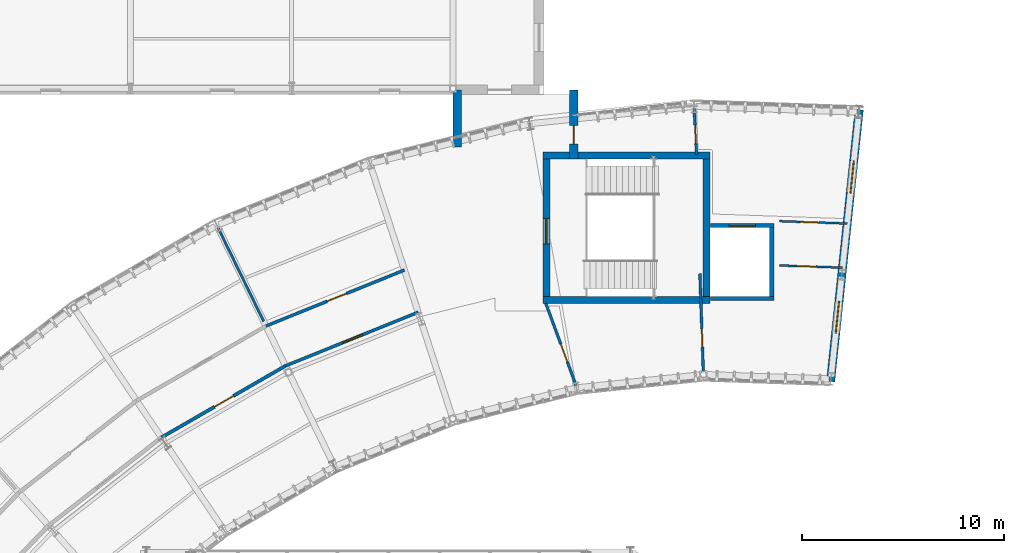
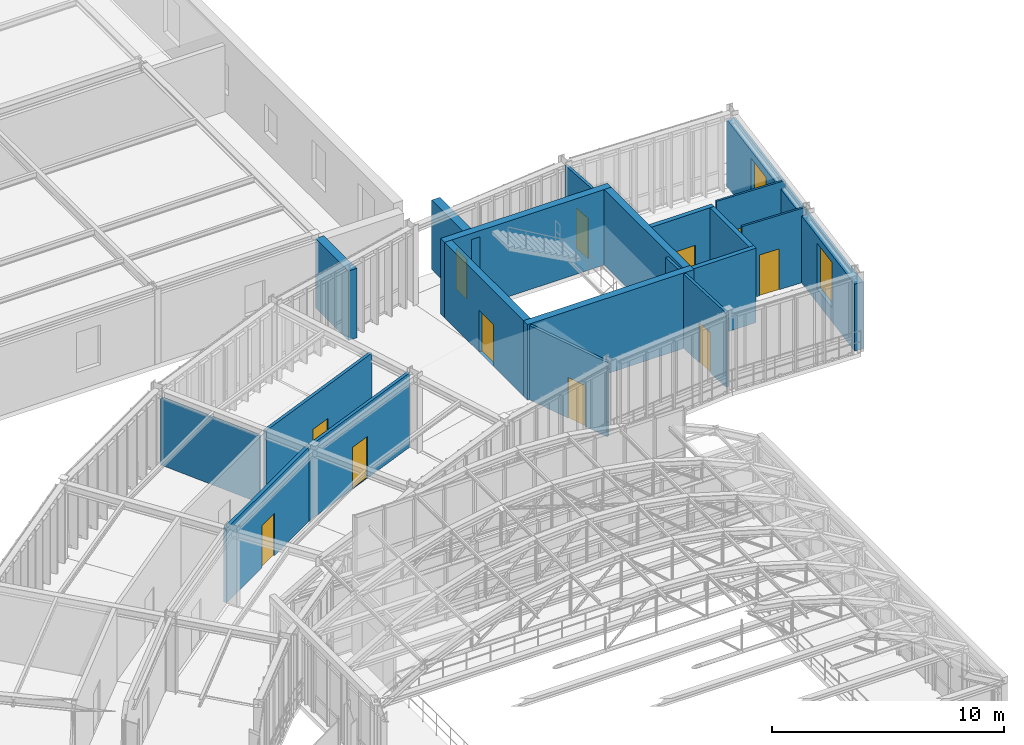
# One storey, part 131 of 148: 19 walls, 11 doors, 2 windows, 13 openings.
"""IFC4 building model written with IfcOpenShell, lengths in metres."""

from ifc_helpers import new_model, si_unit, direction, frame, frame_2d, origin, place, context, subcontext, project, spatial, rectangle, extrude, material, layer, layer_set, type_object, element, fill, save


model = new_model("IFC4")

# Units and contexts
model_context = context("Model", 3, precision=1e-05, world=origin(), true_north=direction((0.0, 1.0)))
body_context = subcontext(model_context, "Body", "Model", "MODEL_VIEW")
ifc_project = project(units=[si_unit("LENGTHUNIT", "METRE"), si_unit("AREAUNIT", "SQUARE_METRE"), si_unit("VOLUMEUNIT", "CUBIC_METRE"), si_unit("PLANEANGLEUNIT", "RADIAN"), si_unit("MASSUNIT", "GRAM", prefix="KILO"), si_unit("THERMODYNAMICTEMPERATUREUNIT", "KELVIN"), si_unit("POWERUNIT", "WATT")], contexts=[model_context])

# Site, building, storey
site_placement = place(None, origin())
site = spatial("IfcSite", under=ifc_project, at=site_placement, CompositionType="ELEMENT")
building_placement = place(site_placement, origin())
building = spatial("IfcBuilding", under=site, at=building_placement, Name="Solvatero Civic Police Headquarters", CompositionType="ELEMENT")
storey_placement = place(building_placement, frame((0.0, 0.0, 5.10009765625)))
storey = spatial("IfcBuildingStorey", under=building, at=storey_placement, Name="L01", CompositionType="ELEMENT", Elevation=5.10009765625)

# Wall
ifc_material_1 = material(Name="Cream Limestone Ashlar", Category="masonry")
ifc_layer_1 = layer(ifc_material_1, 0.419921875)
ifc_layer_set_1 = layer_set([ifc_layer_1], Name="Cream Limestone Ashlar")
wall_type_1 = type_object("IfcWallType", Name="WL-EXT-LIME-420", PredefinedType="SOLIDWALL", material=ifc_layer_set_1)
wall_1_placement = place(storey_placement, frame((80.2099609375, 82.60009765625, 0.0), z_axis=(0.0, 0.0, 1.0), x_axis=(0.0, 1.0, 0.0)))
element("IfcWall", 1, at=wall_1_placement, inside=storey, type_object=wall_type_1, Name="Exterior Wall WLE-L01-C3LK-W", PredefinedType="SOLIDWALL", context=body_context, shape_type="SweptSolid", body=[
    extrude(rectangle(XDim=2.83984375, YDim=0.419921875, at=frame_2d((1.419921875, 0.0))), origin(), (0.0, 0.0, 1.0), 3.657958984375),
])

# Wall, opening, door
wall_2_placement = place(storey_placement, frame((85.989990234375, 82.0, 0.0), z_axis=(0.0, 0.0, 1.0), x_axis=(0.0, 1.0, 0.0)))
wall_2 = element("IfcWall", 2, at=wall_2_placement, inside=storey, type_object=wall_type_1, Name="Exterior Wall WLE-L01-C3LK-E", PredefinedType="SOLIDWALL", context=body_context, shape_type="SweptSolid", body=[
    extrude(rectangle(XDim=3.43994140625, YDim=0.419921875, at=frame_2d((1.719970703125, 0.0))), origin(), (0.0, 0.0, 1.0), 3.657958984375),
])
opening_1_placement = place(wall_2_placement, frame((0.75, 0.0, 0.0)))
opening_1 = element("IfcOpeningElement", 3, at=opening_1_placement, cuts=wall_2, Name="Opening ID-03", PredefinedType="OPENING", context=body_context, shape_type="SweptSolid", body=[
    extrude(rectangle(XDim=0.919921875, YDim=2.1201171875, at=frame_2d((0.4599609375, 1.06005859375))), frame((0.0, 0.219970703125, 0.0), z_axis=(0.0, -1.0, 0.0), x_axis=(1.0, 0.0, 0.0)), (0.0, 0.0, 1.0), 0.43994140625),
])
ifc_material_2 = material(Name="Acoustic Oak Timber Veneer", Category="wood")
door_type_1 = type_object("IfcDoorType", Name="DR-OFF-092x212", OperationType="NOTDEFINED", PredefinedType="DOOR", material=ifc_material_2)
door_1_placement = place(opening_1_placement, origin())
door_1 = element("IfcDoor", 4, at=door_1_placement, inside=storey, type_object=door_type_1, Name="Interior Door DR-L01-C3LK-E", OperationType="SINGLE_SWING_RIGHT", OverallHeight=2.1201171875, OverallWidth=0.919921875, PredefinedType="DOOR", context=body_context, shape_type="SweptSolid", body=[
    extrude(rectangle(XDim=0.919921875, YDim=2.1201171875, at=frame_2d((0.4599609375, 1.06005859375))), frame((0.0, 0.02490234375, 0.0), z_axis=(0.0, -1.0, 0.0), x_axis=(1.0, 0.0, 0.0)), (0.0, 0.0, 1.0), 0.050048828125),
])
fill(opening_1, door_1)

# Wall, openings, windows
wall_3_placement = place(storey_placement, frame((98.726806640625, 70.972412109375, 0.0), z_axis=(0.0, 0.0, 1.0), x_axis=(0.104534827036, 0.994521226489, 0.0)))
wall_3 = element("IfcWall", 5, at=wall_3_placement, inside=storey, type_object=wall_type_1, Name="Exterior Wall WLE-L01-ARC-END-E", PredefinedType="SOLIDWALL", context=body_context, shape_type="SweptSolid", body=[
    extrude(rectangle(XDim=13.559814453125, YDim=0.419921875, at=frame_2d((6.77978515625, 0.0))), origin(), (0.0, 0.0, 1.0), 3.52978515625),
])
opening_2_placement = place(wall_3_placement, frame((2.39990234375, 0.0, 0.739990234375)))
opening_2 = element("IfcOpeningElement", 6, at=opening_2_placement, cuts=wall_3, Name="Opening W-04", PredefinedType="OPENING", context=body_context, shape_type="SweptSolid", body=[
    extrude(rectangle(XDim=1.60009765625, YDim=2.39990234375, at=frame_2d((0.800048828125, 1.199951171875))), frame((0.0, 0.219970703125, 0.0), z_axis=(0.0, -1.0, 0.0), x_axis=(1.0, 0.0, 0.0)), (0.0, 0.0, 1.0), 0.43994140625),
])
opening_3_placement = place(wall_3_placement, frame((9.39990234375, 0.0, 0.739990234375)))
opening_3 = element("IfcOpeningElement", 7, at=opening_3_placement, cuts=wall_3, Name="Opening W-04", PredefinedType="OPENING", context=body_context, shape_type="SweptSolid", body=[
    extrude(rectangle(XDim=1.60009765625, YDim=2.39990234375, at=frame_2d((0.800048828125, 1.199951171875))), frame((0.0, 0.219970703125, 0.0), z_axis=(0.0, -1.0, 0.0), x_axis=(1.0, 0.0, 0.0)), (0.0, 0.0, 1.0), 0.43994140625),
])
ifc_material_3 = material(Name="Anodized Bronze Aluminium", Category="aluminium")
window_type = type_object("IfcWindowType", Name="WN-CL-160x240", PartitioningType="SINGLE_PANEL", PredefinedType="WINDOW", material=ifc_material_3)
window_1_placement = place(opening_2_placement, origin())
window_1 = element("IfcWindow", 8, at=window_1_placement, inside=storey, type_object=window_type, Name="Exterior Window 0283", OverallHeight=2.39990234375, OverallWidth=1.60009765625, PartitioningType="SINGLE_PANEL", PredefinedType="WINDOW", context=body_context, shape_type="SweptSolid", body=[
    extrude(rectangle(XDim=1.60009765625, YDim=2.39990234375, at=frame_2d((0.800048828125, 1.199951171875))), frame((0.0, 0.030029296875, 0.0), z_axis=(0.0, -1.0, 0.0), x_axis=(1.0, 0.0, 0.0)), (0.0, 0.0, 1.0), 0.06005859375),
])
fill(opening_2, window_1)
window_2_placement = place(opening_3_placement, origin())
window_2 = element("IfcWindow", 9, at=window_2_placement, inside=storey, type_object=window_type, Name="Exterior Window 0284", OverallHeight=2.39990234375, OverallWidth=1.60009765625, PartitioningType="SINGLE_PANEL", PredefinedType="WINDOW", context=body_context, shape_type="SweptSolid", body=[
    extrude(rectangle(XDim=1.60009765625, YDim=2.39990234375, at=frame_2d((0.800048828125, 1.199951171875))), frame((0.0, 0.030029296875, 0.0), z_axis=(0.0, -1.0, 0.0), x_axis=(1.0, 0.0, 0.0)), (0.0, 0.0, 1.0), 0.06005859375),
])
fill(opening_3, window_2)

# Wall, opening, door
ifc_material_4 = material(Name="Gypsum Acoustic Stud", Category="gypsum")
ifc_layer_2 = layer(ifc_material_4, 0.10009765625)
ifc_layer_set_2 = layer_set([ifc_layer_2], Name="Gypsum Acoustic Stud")
wall_type_2 = type_object("IfcWallType", Name="WL-PTN-100", PredefinedType="PARTITIONING", material=ifc_layer_set_2)
wall_4_placement = place(storey_placement, frame((99.320556640625, 76.62109375, 0.0), z_axis=(0.0, 0.0, 1.0), x_axis=(-0.999389073029, 0.034949688284, 0.0)))
wall_4 = element("IfcWall", 10, at=wall_4_placement, inside=storey, type_object=wall_type_2, Name="Interior Partition WLP-L01-ARC-CIN-B01", PredefinedType="PARTITIONING", context=body_context, shape_type="SweptSolid", body=[
    extrude(rectangle(XDim=3.12255859375, YDim=0.10009765625, at=frame_2d((1.561279296875, 0.0))), origin(), (0.0, 0.0, 1.0), 3.919921875),
])
opening_4_placement = place(wall_4_placement, frame((1.31103515625, 0.0, 0.0)))
opening_4 = element("IfcOpeningElement", 11, at=opening_4_placement, cuts=wall_4, Name="Opening ID-04", PredefinedType="OPENING", context=body_context, shape_type="SweptSolid", body=[
    extrude(rectangle(XDim=0.949951171875, YDim=2.14990234375, at=frame_2d((0.47509765625, 1.074951171875))), frame((0.0, 0.06005859375, 0.0), z_axis=(0.0, -1.0, 0.0), x_axis=(1.0, 0.0, 0.0)), (0.0, 0.0, 1.0), 0.1201171875),
])
door_type_2 = type_object("IfcDoorType", Name="DR-ACC-095x215", OperationType="NOTDEFINED", PredefinedType="DOOR", material=ifc_material_2)
door_2_placement = place(opening_4_placement, origin())
door_2 = element("IfcDoor", 12, at=door_2_placement, inside=storey, type_object=door_type_2, Name="Interior Door DR-L01-ARC-IN-B01", OperationType="SINGLE_SWING_RIGHT", OverallHeight=2.14990234375, OverallWidth=0.949951171875, PredefinedType="DOOR", context=body_context, shape_type="SweptSolid", body=[
    extrude(rectangle(XDim=0.949951171875, YDim=2.14990234375, at=frame_2d((0.47509765625, 1.074951171875))), frame((0.0, 0.02490234375, 0.0), z_axis=(0.0, -1.0, 0.0), x_axis=(1.0, 0.0, 0.0)), (0.0, 0.0, 1.0), 0.050048828125),
])
fill(opening_4, door_2)

wall_5_placement = place(storey_placement, frame((99.550537109375, 78.80908203125, 0.0), z_axis=(0.0, 0.0, 1.0), x_axis=(-0.999391468521, 0.034881121642, 0.0)))
wall_5 = element("IfcWall", 13, at=wall_5_placement, inside=storey, type_object=wall_type_2, Name="Interior Partition WLP-L01-ARC-COUT-B01", PredefinedType="PARTITIONING", context=body_context, shape_type="SweptSolid", body=[
    extrude(rectangle(XDim=3.3525390625, YDim=0.10009765625, at=frame_2d((1.67626953125, 0.0))), origin(), (0.0, 0.0, 1.0), 3.919921875),
])
opening_5_placement = place(wall_5_placement, frame((1.407958984375, 0.0, 0.0)))
opening_5 = element("IfcOpeningElement", 14, at=opening_5_placement, cuts=wall_5, Name="Opening ID-03", PredefinedType="OPENING", context=body_context, shape_type="SweptSolid", body=[
    extrude(rectangle(XDim=0.919921875, YDim=2.1201171875, at=frame_2d((0.4599609375, 1.06005859375))), frame((0.0, 0.06005859375, 0.0), z_axis=(0.0, -1.0, 0.0), x_axis=(1.0, 0.0, 0.0)), (0.0, 0.0, 1.0), 0.1201171875),
])
door_3_placement = place(opening_5_placement, origin())
door_3 = element("IfcDoor", 15, at=door_3_placement, inside=storey, type_object=door_type_1, Name="Interior Door DR-L01-ARC-OUT-B01", OperationType="SINGLE_SWING_LEFT", OverallHeight=2.1201171875, OverallWidth=0.919921875, PredefinedType="DOOR", context=body_context, shape_type="SweptSolid", body=[
    extrude(rectangle(XDim=0.919921875, YDim=2.1201171875, at=frame_2d((0.4599609375, 1.06005859375))), frame((0.0, 0.02490234375, 0.0), z_axis=(0.0, -1.0, 0.0), x_axis=(1.0, 0.0, 0.0)), (0.0, 0.0, 1.0), 0.050048828125),
])
fill(opening_5, door_3)

# Wall
ifc_layer_3 = layer(ifc_material_4, 0.1201171875)
ifc_layer_set_3 = layer_set([ifc_layer_3], Name="Gypsum Acoustic Stud")
wall_type_3 = type_object("IfcWallType", Name="WL-PTN-120", PredefinedType="PARTITIONING", material=ifc_layer_set_3)
wall_6_placement = place(storey_placement, frame((70.61279296875, 73.95068359375, 0.0), z_axis=(0.0, 0.0, 1.0), x_axis=(-0.438355450259, 0.898801701839, 0.0)))
element("IfcWall", 16, at=wall_6_placement, inside=storey, type_object=wall_type_3, Name="Interior Partition WLP-L01-ARC-RAD-B04", PredefinedType="PARTITIONING", context=body_context, shape_type="SweptSolid", body=[
    extrude(rectangle(XDim=5.150146484375, YDim=0.1201171875, at=frame_2d((2.5751953125, 0.0))), origin(), (0.0, 0.0, 1.0), 3.52978515625),
])

# Wall, opening, door
ifc_material_5 = material(Name="Gypsum Double-Stud", Category="gypsum")
ifc_layer_4 = layer(ifc_material_5, 0.135009765625)
ifc_layer_set_4 = layer_set([ifc_layer_4], Name="Gypsum Double-Stud")
wall_type_4 = type_object("IfcWallType", Name="WL-PTN-135", PredefinedType="PARTITIONING", material=ifc_layer_set_4)
wall_7_placement = place(storey_placement, frame((92.413818359375, 71.42236328125, 0.0), z_axis=(0.0, 0.0, 1.0), x_axis=(-0.034877560821, 0.999391592796, 0.0)))
wall_7 = element("IfcWall", 17, at=wall_7_placement, inside=storey, type_object=wall_type_4, Name="Interior Partition WLP-L01-ARC-R12-IN", PredefinedType="PARTITIONING", context=body_context, shape_type="SweptSolid", body=[
    extrude(rectangle(XDim=4.89990234375, YDim=0.135009765625, at=frame_2d((2.449951171875, 0.0))), origin(), (0.0, 0.0, 1.0), 3.919921875),
])
opening_6_placement = place(wall_7_placement, frame((1.25, 0.0, 0.0)))
opening_6 = element("IfcOpeningElement", 18, at=opening_6_placement, cuts=wall_7, Name="Opening ID-03", PredefinedType="OPENING", context=body_context, shape_type="SweptSolid", body=[
    extrude(rectangle(XDim=0.919921875, YDim=2.1201171875, at=frame_2d((0.4599609375, 1.06005859375))), frame((0.0, 0.077392578125, 0.0), z_axis=(0.0, -1.0, 0.0), x_axis=(1.0, 0.0, 0.0)), (0.0, 0.0, 1.0), 0.155029296875),
])
door_4_placement = place(opening_6_placement, origin())
door_4 = element("IfcDoor", 19, at=door_4_placement, inside=storey, type_object=door_type_1, Name="Interior Door DR-L01-ARC-R12-IN", OperationType="SINGLE_SWING_LEFT", OverallHeight=2.1201171875, OverallWidth=0.919921875, PredefinedType="DOOR", context=body_context, shape_type="SweptSolid", body=[
    extrude(rectangle(XDim=0.919921875, YDim=2.1201171875, at=frame_2d((0.4599609375, 1.06005859375))), frame((0.0, 0.02490234375, 0.0), z_axis=(0.0, -1.0, 0.0), x_axis=(1.0, 0.0, 0.0)), (0.0, 0.0, 1.0), 0.050048828125),
])
fill(opening_6, door_4)

wall_8_placement = place(storey_placement, frame((92.080078125, 82.219970703125, 0.0), z_axis=(0.0, 0.0, 1.0), x_axis=(-0.053763372444, 0.998553704006, 0.0)))
wall_8 = element("IfcWall", 20, at=wall_8_placement, inside=storey, type_object=wall_type_4, Name="Interior Partition WLP-L01-ARC-R12-OUT", PredefinedType="PARTITIONING", context=body_context, shape_type="SweptSolid", body=[
    extrude(rectangle(XDim=2.2978515625, YDim=0.135009765625, at=frame_2d((1.14892578125, 0.0))), origin(), (0.0, 0.0, 1.0), 3.919921875),
])
opening_7_placement = place(wall_8_placement, frame((0.550048828125, 0.0, 0.0)))
opening_7 = element("IfcOpeningElement", 21, at=opening_7_placement, cuts=wall_8, Name="Opening ID-03", PredefinedType="OPENING", context=body_context, shape_type="SweptSolid", body=[
    extrude(rectangle(XDim=0.919921875, YDim=2.1201171875, at=frame_2d((0.4599609375, 1.06005859375))), frame((0.0, 0.077392578125, 0.0), z_axis=(0.0, -1.0, 0.0), x_axis=(1.0, 0.0, 0.0)), (0.0, 0.0, 1.0), 0.155029296875),
])
door_5_placement = place(opening_7_placement, origin())
door_5 = element("IfcDoor", 22, at=door_5_placement, inside=storey, type_object=door_type_1, Name="Interior Door DR-L01-ARC-R12-OUT", OperationType="SINGLE_SWING_RIGHT", OverallHeight=2.1201171875, OverallWidth=0.919921875, PredefinedType="DOOR", context=body_context, shape_type="SweptSolid", body=[
    extrude(rectangle(XDim=0.919921875, YDim=2.1201171875, at=frame_2d((0.4599609375, 1.06005859375))), frame((0.0, 0.02490234375, 0.0), z_axis=(0.0, -1.0, 0.0), x_axis=(1.0, 0.0, 0.0)), (0.0, 0.0, 1.0), 0.050048828125),
])
fill(opening_7, door_5)

wall_9_placement = place(storey_placement, frame((86.107666015625, 70.759521484375, 0.0), z_axis=(0.0, 0.0, 1.0), x_axis=(-0.345809164341, 0.938304866159, 0.0)))
wall_9 = element("IfcWall", 23, at=wall_9_placement, inside=storey, type_object=wall_type_4, Name="Interior Partition WLP-L01-ARC-R23-IN", PredefinedType="PARTITIONING", context=body_context, shape_type="SweptSolid", body=[
    extrude(rectangle(XDim=4.359619140625, YDim=0.135009765625, at=frame_2d((2.1796875, 0.0))), origin(), (0.0, 0.0, 1.0), 3.919921875),
])
opening_8_placement = place(wall_9_placement, frame((1.25, 0.0, 0.0)))
opening_8 = element("IfcOpeningElement", 24, at=opening_8_placement, cuts=wall_9, Name="Opening ID-04", PredefinedType="OPENING", context=body_context, shape_type="SweptSolid", body=[
    extrude(rectangle(XDim=0.949951171875, YDim=2.14990234375, at=frame_2d((0.47509765625, 1.074951171875))), frame((0.0, 0.077392578125, 0.0), z_axis=(0.0, -1.0, 0.0), x_axis=(1.0, 0.0, 0.0)), (0.0, 0.0, 1.0), 0.155029296875),
])
door_6_placement = place(opening_8_placement, origin())
door_6 = element("IfcDoor", 25, at=door_6_placement, inside=storey, type_object=door_type_2, Name="Interior Door DR-L01-ARC-R23-IN", OperationType="SINGLE_SWING_LEFT", OverallHeight=2.14990234375, OverallWidth=0.949951171875, PredefinedType="DOOR", context=body_context, shape_type="SweptSolid", body=[
    extrude(rectangle(XDim=0.949951171875, YDim=2.14990234375, at=frame_2d((0.47509765625, 1.074951171875))), frame((0.0, 0.02490234375, 0.0), z_axis=(0.0, -1.0, 0.0), x_axis=(1.0, 0.0, 0.0)), (0.0, 0.0, 1.0), 0.050048828125),
])
fill(opening_8, door_6)

ifc_layer_5 = layer(ifc_material_4, 0.14990234375)
ifc_layer_set_5 = layer_set([ifc_layer_5], Name="Gypsum Acoustic Stud")
wall_type_5 = type_object("IfcWallType", Name="WL-PTN-150", PredefinedType="PARTITIONING", material=ifc_layer_set_5)
wall_10_placement = place(storey_placement, frame((78.27099609375, 74.40869140625, 0.0), z_axis=(0.0, 0.0, 1.0), x_axis=(-0.927181218568, -0.374613117677, 0.0)))
wall_10 = element("IfcWall", 26, at=wall_10_placement, inside=storey, type_object=wall_type_5, Name="Interior Partition WLP-L01-ARC-CIN-B04", PredefinedType="PARTITIONING", context=body_context, shape_type="SweptSolid", body=[
    extrude(rectangle(XDim=7.10107421875, YDim=0.14990234375, at=frame_2d((3.550537109375, 0.0))), origin(), (0.0, 0.0, 1.0), 3.919921875),
])
opening_9_placement = place(wall_10_placement, frame((2.98291015625, 0.0, 0.0)))
opening_9 = element("IfcOpeningElement", 27, at=opening_9_placement, cuts=wall_10, Name="Opening ID-07", PredefinedType="OPENING", context=body_context, shape_type="SweptSolid", body=[
    extrude(rectangle(XDim=1.050048828125, YDim=2.199951171875, at=frame_2d((0.52490234375, 1.10009765625))), frame((0.0, 0.0849609375, 0.0), z_axis=(0.0, -1.0, 0.0), x_axis=(1.0, 0.0, 0.0)), (0.0, 0.0, 1.0), 0.169921875),
])
ifc_material_6 = material(Name="Powder-Coated Steel", Category="steel")
door_type_3 = type_object("IfcDoorType", Name="DR-LAB-105x220", OperationType="NOTDEFINED", PredefinedType="DOOR", material=ifc_material_6)
door_7_placement = place(opening_9_placement, origin())
door_7 = element("IfcDoor", 28, at=door_7_placement, inside=storey, type_object=door_type_3, Name="Interior Door DR-L01-ARC-IN-B04", OperationType="SINGLE_SWING_RIGHT", OverallHeight=2.199951171875, OverallWidth=1.050048828125, PredefinedType="DOOR", context=body_context, shape_type="SweptSolid", body=[
    extrude(rectangle(XDim=1.050048828125, YDim=2.199951171875, at=frame_2d((0.52490234375, 1.10009765625))), frame((0.0, 0.02490234375, 0.0), z_axis=(0.0, -1.0, 0.0), x_axis=(1.0, 0.0, 0.0)), (0.0, 0.0, 1.0), 0.050048828125),
])
fill(opening_9, door_7)

wall_11_placement = place(storey_placement, frame((77.59130859375, 76.501220703125, 0.0), z_axis=(0.0, 0.0, 1.0), x_axis=(-0.927187035022, -0.374598721418, 0.0)))
wall_11 = element("IfcWall", 29, at=wall_11_placement, inside=storey, type_object=wall_type_5, Name="Interior Partition WLP-L01-ARC-COUT-B04", PredefinedType="PARTITIONING", context=body_context, shape_type="SweptSolid", body=[
    extrude(rectangle(XDim=7.408203125, YDim=0.14990234375, at=frame_2d((3.7041015625, 0.0))), origin(), (0.0, 0.0, 1.0), 3.919921875),
])
opening_10_placement = place(wall_11_placement, frame((3.111083984375, 0.0, 0.0)))
opening_10 = element("IfcOpeningElement", 30, at=opening_10_placement, cuts=wall_11, Name="Opening ID-06", PredefinedType="OPENING", context=body_context, shape_type="SweptSolid", body=[
    extrude(rectangle(XDim=1.02001953125, YDim=2.179931640625, at=frame_2d((0.510009765625, 1.08984375))), frame((0.0, 0.0849609375, 0.0), z_axis=(0.0, -1.0, 0.0), x_axis=(1.0, 0.0, 0.0)), (0.0, 0.0, 1.0), 0.169921875),
])
door_type_4 = type_object("IfcDoorType", Name="DR-LAB-102x218", OperationType="NOTDEFINED", PredefinedType="DOOR", material=ifc_material_6)
door_8_placement = place(opening_10_placement, origin())
door_8 = element("IfcDoor", 31, at=door_8_placement, inside=storey, type_object=door_type_4, Name="Interior Door DR-L01-ARC-OUT-B04", OperationType="SINGLE_SWING_LEFT", OverallHeight=2.179931640625, OverallWidth=1.02001953125, PredefinedType="DOOR", context=body_context, shape_type="SweptSolid", body=[
    extrude(rectangle(XDim=1.02001953125, YDim=2.179931640625, at=frame_2d((0.510009765625, 1.08984375))), frame((0.0, 0.02490234375, 0.0), z_axis=(0.0, -1.0, 0.0), x_axis=(1.0, 0.0, 0.0)), (0.0, 0.0, 1.0), 0.050048828125),
])
fill(opening_10, door_8)

ifc_material_7 = material(Name="Concrete Blockwork", Category="masonry")
ifc_layer_6 = layer(ifc_material_7, 0.1650390625)
ifc_layer_set_6 = layer_set([ifc_layer_6], Name="Concrete Blockwork")
wall_type_6 = type_object("IfcWallType", Name="WL-PTN-165", PredefinedType="PARTITIONING", material=ifc_layer_set_6)
wall_12_placement = place(storey_placement, frame((71.68701171875, 71.74853515625, 0.0), z_axis=(0.0, 0.0, 1.0), x_axis=(-0.866032151687, -0.499988312107, 0.0)))
wall_12 = element("IfcWall", 32, at=wall_12_placement, inside=storey, type_object=wall_type_6, Name="Interior Partition WLP-L01-ARC-CIN-B05", PredefinedType="PARTITIONING", context=body_context, shape_type="SweptSolid", body=[
    extrude(rectangle(XDim=7.101318359375, YDim=0.1650390625, at=frame_2d((3.55078125, 0.0))), origin(), (0.0, 0.0, 1.0), 3.919921875),
])
opening_11_placement = place(wall_12_placement, frame((2.98193359375, 0.0, 0.0)))
opening_11 = element("IfcOpeningElement", 33, at=opening_11_placement, cuts=wall_12, Name="Opening ID-08", PredefinedType="OPENING", context=body_context, shape_type="SweptSolid", body=[
    extrude(rectangle(XDim=1.080078125, YDim=2.219970703125, at=frame_2d((0.5400390625, 1.10986328125))), frame((0.0, 0.092529296875, 0.0), z_axis=(0.0, -1.0, 0.0), x_axis=(1.0, 0.0, 0.0)), (0.0, 0.0, 1.0), 0.18505859375),
])
door_type_5 = type_object("IfcDoorType", Name="DR-LAB-108x222", OperationType="NOTDEFINED", PredefinedType="DOOR", material=ifc_material_6)
door_9_placement = place(opening_11_placement, origin())
door_9 = element("IfcDoor", 34, at=door_9_placement, inside=storey, type_object=door_type_5, Name="Interior Door DR-L01-ARC-IN-B05", OperationType="SINGLE_SWING_RIGHT", OverallHeight=2.219970703125, OverallWidth=1.080078125, PredefinedType="DOOR", context=body_context, shape_type="SweptSolid", body=[
    extrude(rectangle(XDim=1.080078125, YDim=2.219970703125, at=frame_2d((0.5400390625, 1.10986328125))), frame((0.0, 0.02490234375, 0.0), z_axis=(0.0, -1.0, 0.0), x_axis=(1.0, 0.0, 0.0)), (0.0, 0.0, 1.0), 0.050048828125),
])
fill(opening_11, door_9)

# Wall
ifc_material_8 = material(Name="Concrete C35/45", Category="concrete")
ifc_layer_7 = layer(ifc_material_8, 0.219970703125)
ifc_layer_set_7 = layer_set([ifc_layer_7], Name="Concrete C35/45")
wall_type_7 = type_object("IfcWallType", Name="WL-SHF-220", PredefinedType="PARTITIONING", material=ifc_layer_set_7)
wall_13_placement = place(storey_placement, frame((92.760009765625, 75.090087890625, 0.0), z_axis=(0.0, 0.0, 1.0), x_axis=(1.0, 0.0, 0.0)))
element("IfcWall", 35, at=wall_13_placement, inside=storey, type_object=wall_type_7, Name="Lift Shaft Wall WLS-LG-01-L01-S", PredefinedType="PARTITIONING", context=body_context, shape_type="SweptSolid", body=[
    extrude(rectangle(XDim=3.159912109375, YDim=0.219970703125, at=frame_2d((1.580078125, 0.0))), origin(), (0.0, 0.0, 1.0), 3.919921875),
])

# Wall, opening, door
wall_14_placement = place(storey_placement, frame((92.760009765625, 78.7099609375, 0.0), z_axis=(0.0, 0.0, 1.0), x_axis=(1.0, 0.0, 0.0)))
wall_14 = element("IfcWall", 36, at=wall_14_placement, inside=storey, type_object=wall_type_7, Name="Lift Shaft Wall WLS-LG-01-L01-N", PredefinedType="PARTITIONING", context=body_context, shape_type="SweptSolid", body=[
    extrude(rectangle(XDim=3.159912109375, YDim=0.219970703125, at=frame_2d((1.580078125, 0.0))), origin(), (0.0, 0.0, 1.0), 3.919921875),
])
opening_12_placement = place(wall_14_placement, frame((0.929931640625, 0.0, 0.0)))
opening_12 = element("IfcOpeningElement", 37, at=opening_12_placement, cuts=wall_14, Name="Opening LD-02", PredefinedType="OPENING", context=body_context, shape_type="SweptSolid", body=[
    extrude(rectangle(XDim=1.300048828125, YDim=2.199951171875, at=frame_2d((0.64990234375, 1.10009765625))), frame((0.0, 0.119873046875, 0.0), z_axis=(0.0, -1.0, 0.0), x_axis=(1.0, 0.0, 0.0)), (0.0, 0.0, 1.0), 0.239990234375),
])
ifc_material_9 = material(Name="Stainless Steel Grade 316", Category="steel")
door_type_6 = type_object("IfcDoorType", Name="DR-LFT-130x220", OperationType="DOUBLE_DOOR_SLIDING", PredefinedType="DOOR", material=ifc_material_9)
door_10_placement = place(opening_12_placement, origin())
door_10 = element("IfcDoor", 38, at=door_10_placement, inside=storey, type_object=door_type_6, Name="Interior Door DR-LFT-LG-01-L01", OperationType="DOUBLE_DOOR_SLIDING", OverallHeight=2.199951171875, OverallWidth=1.300048828125, PredefinedType="DOOR", context=body_context, shape_type="SweptSolid", body=[
    extrude(rectangle(XDim=1.300048828125, YDim=2.199951171875, at=frame_2d((0.64990234375, 1.10009765625))), frame((0.0, 0.02490234375, 0.0), z_axis=(0.0, -1.0, 0.0), x_axis=(1.0, 0.0, 0.0)), (0.0, 0.0, 1.0), 0.050048828125),
])
fill(opening_12, door_10)

# Walls
wall_15_placement = place(storey_placement, frame((95.81005859375, 75.199951171875, 0.0), z_axis=(0.0, 0.0, 1.0), x_axis=(0.0, 1.0, 0.0)))
element("IfcWall", 39, at=wall_15_placement, inside=storey, type_object=wall_type_7, Name="Lift Shaft Wall WLS-LG-01-L01-E", PredefinedType="PARTITIONING", context=body_context, shape_type="SweptSolid", body=[
    extrude(rectangle(XDim=3.400146484375, YDim=0.219970703125, at=frame_2d((1.7001953125, 0.0))), origin(), (0.0, 0.0, 1.0), 3.919921875),
])
ifc_material_10 = material(Name="Concrete C40/50", Category="concrete")
ifc_layer_8 = layer(ifc_material_10, 0.35009765625)
ifc_layer_set_8 = layer_set([ifc_layer_8], Name="Concrete C40/50")
wall_type_8 = type_object("IfcWallType", Name="WL-SHR-350", PredefinedType="SHEAR", material=ifc_layer_set_8)
for number, where, z_axis, x_axis, name in (
    (40, (84.449951171875, 75.02490234375, 0.0), (0.0, 0.0, 1.0), (1.0, 0.0, 0.0), "Core C3 Shear Wall S L01"),
    (41, (84.449951171875, 82.175048828125, 0.0), (0.0, 0.0, 1.0), (1.0, 0.0, 0.0), "Core C3 Shear Wall N L01"),
):
    element("IfcWall", number, at=place(storey_placement, frame(where, z_axis=z_axis, x_axis=x_axis)), inside=storey, type_object=wall_type_8, Name=name, PredefinedType="SHEAR", context=body_context, shape_type="SweptSolid", body=[
        extrude(rectangle(XDim=8.300048828125, YDim=0.35009765625, at=frame_2d((4.14990234375, 0.0))), origin(), (0.0, 0.0, 1.0), 3.97998046875),
    ])

# Wall, opening, door
wall_16_placement = place(storey_placement, frame((84.625, 75.199951171875, 0.0), z_axis=(0.0, 0.0, 1.0), x_axis=(0.0, 1.0, 0.0)))
wall_16 = element("IfcWall", 42, at=wall_16_placement, inside=storey, type_object=wall_type_8, Name="Core C3 Shear Wall W L01", PredefinedType="SHEAR", context=body_context, shape_type="SweptSolid", body=[
    extrude(rectangle(XDim=6.800048828125, YDim=0.35009765625, at=frame_2d((3.39990234375, 0.0))), origin(), (0.0, 0.0, 1.0), 3.97998046875),
])
opening_13_placement = place(wall_16_placement, frame((2.60009765625, 0.0, 0.0)))
opening_13 = element("IfcOpeningElement", 43, at=opening_13_placement, cuts=wall_16, Name="Opening FD-01", PredefinedType="OPENING", context=body_context, shape_type="SweptSolid", body=[
    extrude(rectangle(XDim=1.25, YDim=2.199951171875, at=frame_2d((0.625, 1.10009765625))), frame((0.0, 0.18505859375, 0.0), z_axis=(0.0, -1.0, 0.0), x_axis=(1.0, 0.0, 0.0)), (0.0, 0.0, 1.0), 0.3701171875),
])
door_type_7 = type_object("IfcDoorType", Name="DR-STR-125x220", OperationType="NOTDEFINED", PredefinedType="DOOR", material=ifc_material_6)
door_11_placement = place(opening_13_placement, origin())
door_11 = element("IfcDoor", 44, at=door_11_placement, inside=storey, type_object=door_type_7, Name="Interior Door DR-STR-C3-L01", OperationType="SINGLE_SWING_LEFT", OverallHeight=2.199951171875, OverallWidth=1.25, PredefinedType="DOOR", context=body_context, shape_type="SweptSolid", body=[
    extrude(rectangle(XDim=1.25, YDim=2.199951171875, at=frame_2d((0.625, 1.10009765625))), frame((0.0, 0.02490234375, 0.0), z_axis=(0.0, -1.0, 0.0), x_axis=(1.0, 0.0, 0.0)), (0.0, 0.0, 1.0), 0.050048828125),
])
fill(opening_13, door_11)

# Wall
wall_17_placement = place(storey_placement, frame((92.574951171875, 75.199951171875, 0.0), z_axis=(0.0, 0.0, 1.0), x_axis=(0.0, 1.0, 0.0)))
element("IfcWall", 45, at=wall_17_placement, inside=storey, type_object=wall_type_8, Name="Core C3 Shear Wall E L01", PredefinedType="SHEAR", context=body_context, shape_type="SweptSolid", body=[
    extrude(rectangle(XDim=6.800048828125, YDim=0.35009765625, at=frame_2d((3.39990234375, 0.0))), origin(), (0.0, 0.0, 1.0), 3.97998046875),
])

save(model, "model.ifc")
